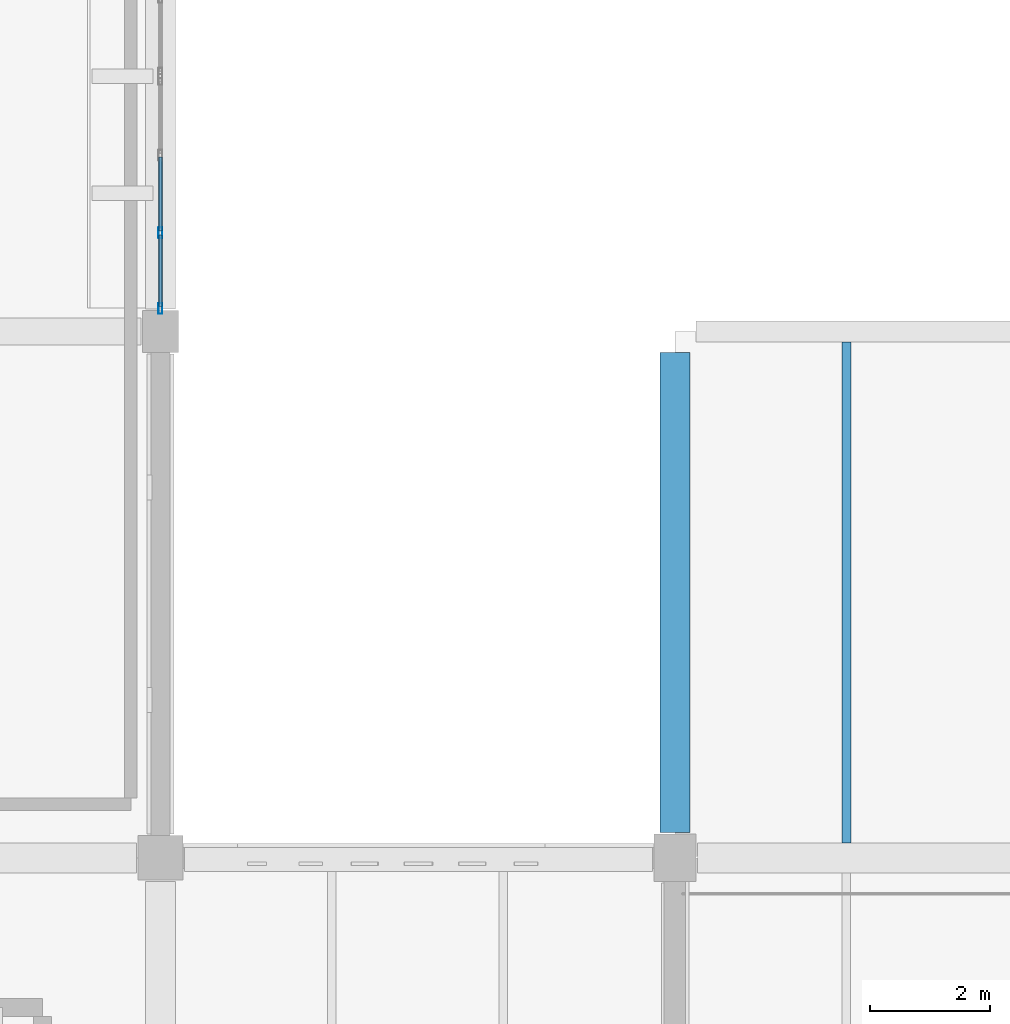
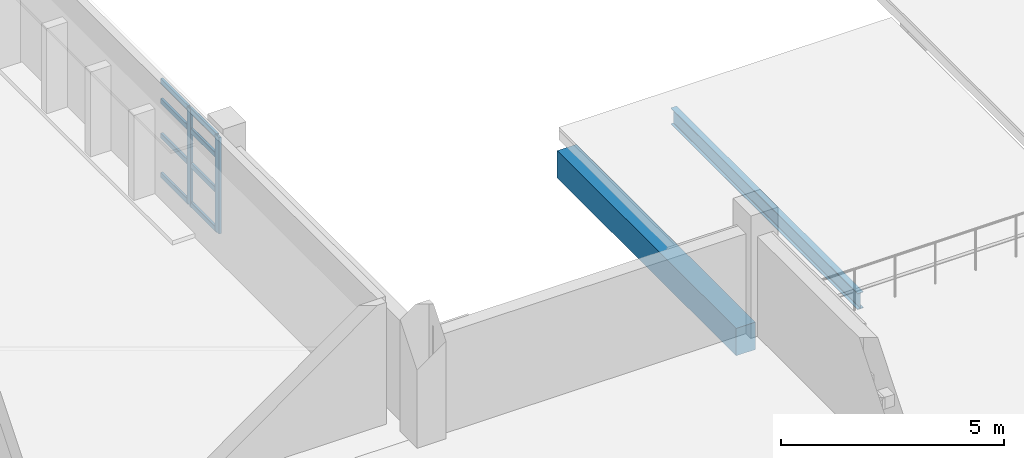
# One storey, part 18 of 93: 10 members, 2 beams, 1 element without a shape of its own.
"""IFC4 building model written with IfcOpenShell, lengths in metres."""

from ifc_helpers import new_model, si_unit, direction, frame, origin, origin_2d, place, context, subcontext, project, spatial, rectangle, hollow_rectangle, i_section, extrude, material, material_profile, profile_set, type_object, element, aggregate, save


model = new_model("IFC4")

# Units and contexts
model_context = context("Model", 3, precision=1e-05, world=origin(), true_north=direction((0.0, 1.0)))
body_context = subcontext(model_context, "Body", "Model", "MODEL_VIEW")
ifc_project = project(units=[si_unit("LENGTHUNIT", "METRE"), si_unit("AREAUNIT", "SQUARE_METRE"), si_unit("VOLUMEUNIT", "CUBIC_METRE"), si_unit("PLANEANGLEUNIT", "RADIAN"), si_unit("MASSUNIT", "GRAM", prefix="KILO")], contexts=[model_context])

# Site, building, storey
site_placement = place(None, origin())
site = spatial("IfcSite", under=ifc_project, at=site_placement, CompositionType="ELEMENT")
building_placement = place(site_placement, origin())
building = spatial("IfcBuilding", under=site, at=building_placement, Name="Varnakota Cinema and Media Centre", CompositionType="ELEMENT")
storey_placement = place(building_placement, frame((0.0, 0.0, 12.0)))
storey = spatial("IfcBuildingStorey", under=building, at=storey_placement, Name="L03", CompositionType="ELEMENT", Elevation=12.0)

# Beams
ifc_material_1 = material(Name="Concrete M35", Category="concrete")
ifc_material_profile_1 = material_profile(ifc_material_1, rectangle(XDim=0.5, YDim=0.75, at=origin_2d()), Name="RCB 500x750")
ifc_profile_set_1 = profile_set([ifc_material_profile_1], Name="Concrete M35")
beam_type_1 = type_object("IfcBeamType", Name="BM-RC-500x750", PredefinedType="BEAM", material=ifc_profile_set_1)
beam_1_placement = place(storey_placement, frame((43.0, 35.625, -0.635009765625), z_axis=(0.0, 1.0, 0.0), x_axis=(-1.0, 0.0, 0.0)))
element("IfcBeam", 1, at=beam_1_placement, inside=storey, type_object=beam_type_1, Name="L03 girder F/5-6", PredefinedType="BEAM", context=body_context, shape_type="SweptSolid", body=[
    extrude(rectangle(XDim=0.5, YDim=0.75, at=origin_2d()), origin(), (0.0, 0.0, 1.0), 8.02490234375),
])
ifc_material_2 = material(Name="Structural steel Grade 350 (E350)", Category="steel")
ifc_material_profile_2 = material_profile(ifc_material_2, i_section(OverallWidth=0.14990234375, OverallDepth=0.449951171875, WebThickness=0.009521484375, FlangeThickness=0.017333984375, FilletRadius=0.014892578125, at=origin_2d()), Name="ISMB 450")
ifc_profile_set_2 = profile_set([ifc_material_profile_2], Name="Structural steel Grade 350 (E350)")
beam_type_2 = type_object("IfcBeamType", Name="BM-ST-ISMB450", PredefinedType="BEAM", material=ifc_profile_set_2)
beam_2_placement = place(storey_placement, frame((45.86669921875, 35.449951171875, -0.485107421875), z_axis=(0.0, 1.0, 0.0), x_axis=(-1.0, 0.0, 0.0)))
element("IfcBeam", 2, at=beam_2_placement, inside=storey, type_object=beam_type_2, Name="L03 steel joist F-G/5-6 #1", PredefinedType="BEAM", context=body_context, shape_type="SweptSolid", body=[
    extrude(i_section(OverallWidth=0.14990234375, OverallDepth=0.449951171875, WebThickness=0.009521484375, FlangeThickness=0.017333984375, FilletRadius=0.014892578125, at=origin_2d()), origin(), (0.0, 0.0, 1.0), 8.375),
])

# Curtain wall, members
ifc_material_3 = material(Name="Thermally broken anodised aluminium AW-6063", Category="aluminium")
curtain_wall_type = type_object("IfcCurtainWallType", Name="CW-STD-389x264", PredefinedType="USERDEFINED", material=ifc_material_3)
curtain_wall_placement = place(storey_placement, origin())
curtain_wall = element("IfcCurtainWall", 3, at=curtain_wall_placement, inside=storey, type_object=curtain_wall_type, Name="L03 curtain wall CW-L03-V5-E-02-1", ObjectType="UNITISED CURTAIN WALL", PredefinedType="USERDEFINED")
ifc_material_4 = material(Name="Thermally broken anodised aluminium AW-6063", Category="aluminium")
ifc_material_profile_3 = material_profile(ifc_material_4, hollow_rectangle(XDim=0.06494140625, YDim=0.179931640625, WallThickness=0.00390625, InnerFilletRadius=0.00390625, OuterFilletRadius=0.008056640625, at=origin_2d()), Name="AL-MULLION 180x65x4")
ifc_profile_set_3 = profile_set([ifc_material_profile_3], Name="Thermally broken anodised aluminium AW-6063")
member_type_1 = type_object("IfcMemberType", Name="CWM-AL-180", PredefinedType="MULLION", material=ifc_profile_set_3)
member_1_placement = place(storey_placement, frame((34.39990234375, 44.382568359375, 0.0), z_axis=(0.0, 0.0, 1.0), x_axis=(-1.0, 0.0, 0.0)))
member_1 = element("IfcMember", 4, at=member_1_placement, type_object=member_type_1, Name="CW41 mullion 1", PredefinedType="MULLION", context=body_context, shape_type="SweptSolid", body=[
    extrude(hollow_rectangle(XDim=0.06494140625, YDim=0.179931640625, WallThickness=0.00390625, InnerFilletRadius=0.00390625, OuterFilletRadius=0.008056640625, at=origin_2d()), origin(), (0.0, 0.0, 1.0), 2.635009765625),
])
member_2_placement = place(storey_placement, frame((34.39990234375, 45.6474609375, 0.0), z_axis=(0.0, 0.0, 1.0), x_axis=(-1.0, 0.0, 0.0)))
member_2 = element("IfcMember", 5, at=member_2_placement, type_object=member_type_1, Name="CW41 mullion 2", PredefinedType="MULLION", context=body_context, shape_type="SweptSolid", body=[
    extrude(hollow_rectangle(XDim=0.06494140625, YDim=0.179931640625, WallThickness=0.00390625, InnerFilletRadius=0.00390625, OuterFilletRadius=0.008056640625, at=origin_2d()), origin(), (0.0, 0.0, 1.0), 2.635009765625),
])
ifc_material_5 = material(Name="Thermally broken anodised aluminium AW-6063", Category="aluminium")
ifc_material_profile_4 = material_profile(ifc_material_5, hollow_rectangle(XDim=0.06494140625, YDim=0.139892578125, WallThickness=0.00390625, InnerFilletRadius=0.00390625, OuterFilletRadius=0.008056640625, at=origin_2d()), Name="AL-TRANSOM 140x65x4")
ifc_profile_set_4 = profile_set([ifc_material_profile_4], Name="Thermally broken anodised aluminium AW-6063")
member_type_2 = type_object("IfcMemberType", Name="CWT-AL-140", PredefinedType="USERDEFINED", material=ifc_profile_set_4)
member_3_placement = place(storey_placement, frame((34.39990234375, 44.4150390625, 0.032470703125), z_axis=(0.0, 1.0, 0.0), x_axis=(-1.0, 0.0, 0.0)))
member_3 = element("IfcMember", 6, at=member_3_placement, type_object=member_type_2, Name="CW41 transom 1.1", ObjectType="TRANSOM", PredefinedType="USERDEFINED", context=body_context, shape_type="SweptSolid", body=[
    extrude(hollow_rectangle(XDim=0.06494140625, YDim=0.139892578125, WallThickness=0.00390625, InnerFilletRadius=0.00390625, OuterFilletRadius=0.008056640625, at=origin_2d()), origin(), (0.0, 0.0, 1.0), 1.199951171875),
])
member_4_placement = place(storey_placement, frame((34.39990234375, 44.4150390625, 1.106689453125), z_axis=(0.0, 1.0, 0.0), x_axis=(-1.0, 0.0, 0.0)))
member_4 = element("IfcMember", 7, at=member_4_placement, type_object=member_type_2, Name="CW41 transom 1.2", ObjectType="TRANSOM", PredefinedType="USERDEFINED", context=body_context, shape_type="SweptSolid", body=[
    extrude(hollow_rectangle(XDim=0.06494140625, YDim=0.139892578125, WallThickness=0.00390625, InnerFilletRadius=0.00390625, OuterFilletRadius=0.008056640625, at=origin_2d()), origin(), (0.0, 0.0, 1.0), 1.199951171875),
])
member_5_placement = place(storey_placement, frame((34.39990234375, 44.4150390625, 2.055419921875), z_axis=(0.0, 1.0, 0.0), x_axis=(-1.0, 0.0, 0.0)))
member_5 = element("IfcMember", 8, at=member_5_placement, type_object=member_type_2, Name="CW41 transom 1.3", ObjectType="TRANSOM", PredefinedType="USERDEFINED", context=body_context, shape_type="SweptSolid", body=[
    extrude(hollow_rectangle(XDim=0.06494140625, YDim=0.139892578125, WallThickness=0.00390625, InnerFilletRadius=0.00390625, OuterFilletRadius=0.008056640625, at=origin_2d()), origin(), (0.0, 0.0, 1.0), 1.199951171875),
])
member_6_placement = place(storey_placement, frame((34.39990234375, 44.4150390625, 2.6025390625), z_axis=(0.0, 1.0, 0.0), x_axis=(-1.0, 0.0, 0.0)))
member_6 = element("IfcMember", 9, at=member_6_placement, type_object=member_type_2, Name="CW41 transom 1.4", ObjectType="TRANSOM", PredefinedType="USERDEFINED", context=body_context, shape_type="SweptSolid", body=[
    extrude(hollow_rectangle(XDim=0.06494140625, YDim=0.139892578125, WallThickness=0.00390625, InnerFilletRadius=0.00390625, OuterFilletRadius=0.008056640625, at=origin_2d()), origin(), (0.0, 0.0, 1.0), 1.199951171875),
])
member_7_placement = place(storey_placement, frame((34.39990234375, 45.679931640625, 0.032470703125), z_axis=(0.0, 1.0, 0.0), x_axis=(-1.0, 0.0, 0.0)))
member_7 = element("IfcMember", 10, at=member_7_placement, type_object=member_type_2, Name="CW41 transom 2.1", ObjectType="TRANSOM", PredefinedType="USERDEFINED", context=body_context, shape_type="SweptSolid", body=[
    extrude(hollow_rectangle(XDim=0.06494140625, YDim=0.139892578125, WallThickness=0.00390625, InnerFilletRadius=0.00390625, OuterFilletRadius=0.008056640625, at=origin_2d()), origin(), (0.0, 0.0, 1.0), 1.232666015625),
])
member_8_placement = place(storey_placement, frame((34.39990234375, 45.679931640625, 1.106689453125), z_axis=(0.0, 1.0, 0.0), x_axis=(-1.0, 0.0, 0.0)))
member_8 = element("IfcMember", 11, at=member_8_placement, type_object=member_type_2, Name="CW41 transom 2.2", ObjectType="TRANSOM", PredefinedType="USERDEFINED", context=body_context, shape_type="SweptSolid", body=[
    extrude(hollow_rectangle(XDim=0.06494140625, YDim=0.139892578125, WallThickness=0.00390625, InnerFilletRadius=0.00390625, OuterFilletRadius=0.008056640625, at=origin_2d()), origin(), (0.0, 0.0, 1.0), 1.232666015625),
])
member_9_placement = place(storey_placement, frame((34.39990234375, 45.679931640625, 2.055419921875), z_axis=(0.0, 1.0, 0.0), x_axis=(-1.0, 0.0, 0.0)))
member_9 = element("IfcMember", 12, at=member_9_placement, type_object=member_type_2, Name="CW41 transom 2.3", ObjectType="TRANSOM", PredefinedType="USERDEFINED", context=body_context, shape_type="SweptSolid", body=[
    extrude(hollow_rectangle(XDim=0.06494140625, YDim=0.139892578125, WallThickness=0.00390625, InnerFilletRadius=0.00390625, OuterFilletRadius=0.008056640625, at=origin_2d()), origin(), (0.0, 0.0, 1.0), 1.232666015625),
])
member_10_placement = place(storey_placement, frame((34.39990234375, 45.679931640625, 2.6025390625), z_axis=(0.0, 1.0, 0.0), x_axis=(-1.0, 0.0, 0.0)))
member_10 = element("IfcMember", 13, at=member_10_placement, type_object=member_type_2, Name="CW41 transom 2.4", ObjectType="TRANSOM", PredefinedType="USERDEFINED", context=body_context, shape_type="SweptSolid", body=[
    extrude(hollow_rectangle(XDim=0.06494140625, YDim=0.139892578125, WallThickness=0.00390625, InnerFilletRadius=0.00390625, OuterFilletRadius=0.008056640625, at=origin_2d()), origin(), (0.0, 0.0, 1.0), 1.232666015625),
])
aggregate(curtain_wall, [member_1, member_2, member_3, member_4, member_5, member_6, member_7, member_8, member_9, member_10])

save(model, "model.ifc")
